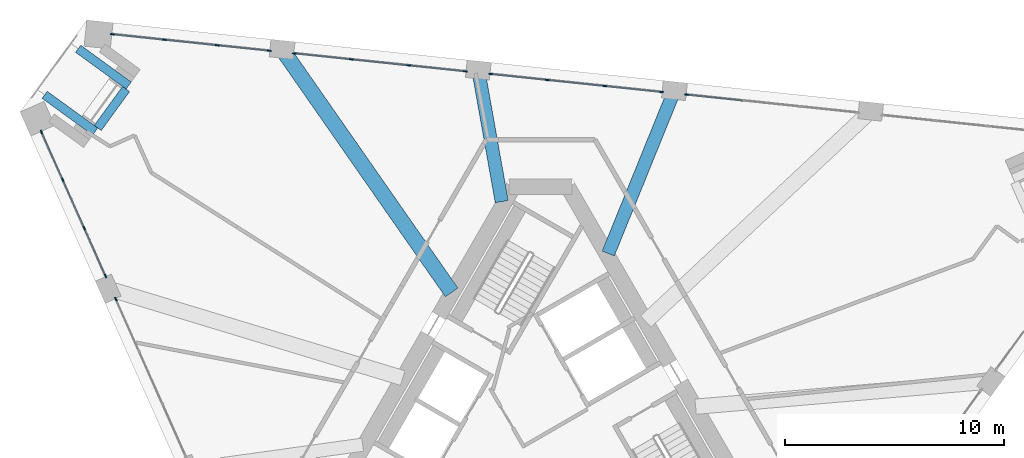
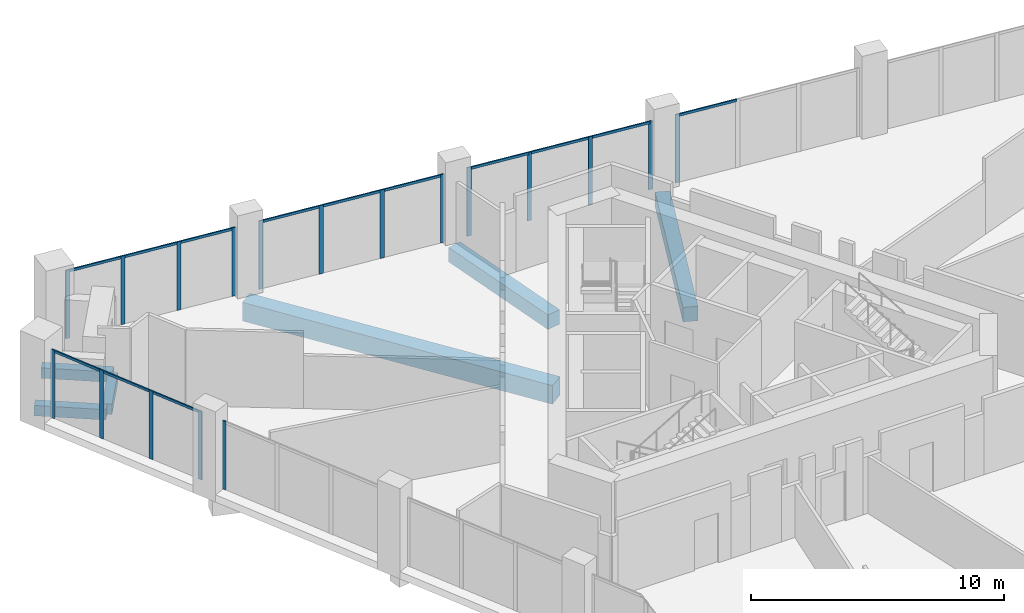
# One storey, part 5 of 15: 31 members, 6 beams, 6 elements without a shape of their own.
"""IFC4 building model written with IfcOpenShell, lengths in metres."""

from ifc_helpers import new_model, si_unit, direction, frame, origin, origin_2d, place, context, subcontext, project, spatial, rectangle, extrude, material, layer, layer_set, material_profile, profile_set, type_object, element, aggregate, save


model = new_model("IFC4")

# Units and contexts
model_context = context("Model", 3, precision=1e-05, world=origin(), true_north=direction((0.0, 1.0)))
body_context = subcontext(model_context, "Body", "Model", "MODEL_VIEW")
ifc_project = project(units=[si_unit("LENGTHUNIT", "METRE"), si_unit("AREAUNIT", "SQUARE_METRE"), si_unit("VOLUMEUNIT", "CUBIC_METRE"), si_unit("PLANEANGLEUNIT", "RADIAN"), si_unit("MASSUNIT", "GRAM", prefix="KILO")], contexts=[model_context])

# Site, building, storey
site_placement = place(None, origin())
site = spatial("IfcSite", under=ifc_project, at=site_placement, CompositionType="ELEMENT")
building_placement = place(site_placement, origin())
building = spatial("IfcBuilding", under=site, at=building_placement, Name="Tramontana Tower", CompositionType="ELEMENT")
storey_placement = place(building_placement, frame((0.0, 0.0, 237.199951171875)))
storey = spatial("IfcBuildingStorey", under=building, at=storey_placement, Name="L55", CompositionType="ELEMENT", Elevation=237.199951171875)

# Curtain wall, members
ifc_material_1 = material(Name="Aluminum extrusion", Category="aluminium")
ifc_layer = layer(ifc_material_1, 0.14990234375)
ifc_layer_set = layer_set([ifc_layer], Name="CW4 Sky lobby 2 curtain wall")
curtain_wall_type = type_object("IfcCurtainWallType", Name="CW4 Sky lobby 2 curtain wall", PredefinedType="NOTDEFINED", material=ifc_layer_set)
curtain_wall_1_placement = place(storey_placement, origin())
curtain_wall_1 = element("IfcCurtainWall", 1, at=curtain_wall_1_placement, inside=storey, type_object=curtain_wall_type, Name="CW4 curtain wall L55 face 0 bay 1", PredefinedType="NOTDEFINED")
ifc_material_2 = material(Name="Aluminum extrusion", Category="aluminium")
ifc_material_profile_1 = material_profile(ifc_material_2, rectangle(XDim=0.06005859375, YDim=0.179931640625, at=origin_2d()), Name="CW4-M Mullion 60 x 180")
ifc_profile_set_1 = profile_set([ifc_material_profile_1], Name="Aluminum extrusion")
member_type_1 = type_object("IfcMemberType", Name="CW4-M Mullion 60 x 180", PredefinedType="MULLION", material=ifc_profile_set_1)
member_1_placement = place(storey_placement, frame((-22.795166015625, 13.152099609375, 0.0), z_axis=(0.0, 0.0, 1.0), x_axis=(0.913545457643, 0.406736643076, 0.0)))
member_1 = element("IfcMember", 2, at=member_1_placement, type_object=member_type_1, Name="CW4 curtain wall L55 face 0 bay 1 mullion 1", PredefinedType="MULLION", context=body_context, shape_type="SweptSolid", body=[
    extrude(rectangle(XDim=0.06005859375, YDim=0.179931640625, at=origin_2d()), origin(), (0.0, 0.0, 1.0), 3.300048828125),
])
member_2_placement = place(storey_placement, frame((-21.823486328125, 10.9697265625, 0.0), z_axis=(0.0, 0.0, 1.0), x_axis=(0.913545457643, 0.406736643076, 0.0)))
member_2 = element("IfcMember", 3, at=member_2_placement, type_object=member_type_1, Name="CW4 curtain wall L55 face 0 bay 1 mullion 2", PredefinedType="MULLION", context=body_context, shape_type="SweptSolid", body=[
    extrude(rectangle(XDim=0.06005859375, YDim=0.179931640625, at=origin_2d()), origin(), (0.0, 0.0, 1.0), 3.300048828125),
])
member_3_placement = place(storey_placement, frame((-20.839599609375, 8.760009765625, 0.0), z_axis=(0.0, 0.0, 1.0), x_axis=(0.913545457643, 0.406736643076, 0.0)))
member_3 = element("IfcMember", 4, at=member_3_placement, type_object=member_type_1, Name="CW4 curtain wall L55 face 0 bay 1 mullion 3", PredefinedType="MULLION", context=body_context, shape_type="SweptSolid", body=[
    extrude(rectangle(XDim=0.06005859375, YDim=0.179931640625, at=origin_2d()), origin(), (0.0, 0.0, 1.0), 3.300048828125),
])
member_4_placement = place(storey_placement, frame((-19.867919921875, 6.57763671875, 0.0), z_axis=(0.0, 0.0, 1.0), x_axis=(0.913545457643, 0.406736643076, 0.0)))
member_4 = element("IfcMember", 5, at=member_4_placement, type_object=member_type_1, Name="CW4 curtain wall L55 face 0 bay 1 mullion 4", PredefinedType="MULLION", context=body_context, shape_type="SweptSolid", body=[
    extrude(rectangle(XDim=0.06005859375, YDim=0.179931640625, at=origin_2d()), origin(), (0.0, 0.0, 1.0), 3.300048828125),
])

# Curtain wall, member
curtain_wall_2_placement = place(storey_placement, origin())
curtain_wall_2 = element("IfcCurtainWall", 6, at=curtain_wall_2_placement, inside=storey, type_object=curtain_wall_type, Name="CW4 curtain wall L55 face 0 bay 2", PredefinedType="NOTDEFINED")
member_5_placement = place(storey_placement, frame((-19.396240234375, 5.517822265625, 0.0), z_axis=(0.0, 0.0, 1.0), x_axis=(0.913545457643, 0.406736643076, 0.0)))
member_5 = element("IfcMember", 7, at=member_5_placement, type_object=member_type_1, Name="CW4 curtain wall L55 face 0 bay 2 mullion 1", PredefinedType="MULLION", context=body_context, shape_type="SweptSolid", body=[
    extrude(rectangle(XDim=0.06005859375, YDim=0.179931640625, at=origin_2d()), origin(), (0.0, 0.0, 1.0), 3.300048828125),
])
aggregate(curtain_wall_2, [member_5])

curtain_wall_3_placement = place(storey_placement, origin())
curtain_wall_3 = element("IfcCurtainWall", 8, at=curtain_wall_3_placement, inside=storey, type_object=curtain_wall_type, Name="CW4 curtain wall L55 face 2 bay 2", PredefinedType="NOTDEFINED")
member_6_placement = place(storey_placement, frame((6.673095703125, 14.85888671875, 0.0), z_axis=(0.0, 0.0, 1.0), x_axis=(-0.104528463268, -0.994521895368, 0.0)))
member_6 = element("IfcMember", 9, at=member_6_placement, type_object=member_type_1, Name="CW4 curtain wall L55 face 2 bay 2 mullion 4", PredefinedType="MULLION", context=body_context, shape_type="SweptSolid", body=[
    extrude(rectangle(XDim=0.06005859375, YDim=0.179931640625, at=origin_2d()), origin(), (0.0, 0.0, 1.0), 3.300048828125),
])

# Curtain wall, members
curtain_wall_4_placement = place(storey_placement, origin())
curtain_wall_4 = element("IfcCurtainWall", 10, at=curtain_wall_4_placement, inside=storey, type_object=curtain_wall_type, Name="CW4 curtain wall L55 face 2 bay 3", PredefinedType="NOTDEFINED")
member_7_placement = place(storey_placement, frame((5.51953125, 14.980224609375, 0.0), z_axis=(0.0, 0.0, 1.0), x_axis=(-0.104528463268, -0.994521895368, 0.0)))
member_7 = element("IfcMember", 11, at=member_7_placement, type_object=member_type_1, Name="CW4 curtain wall L55 face 2 bay 3 mullion 1", PredefinedType="MULLION", context=body_context, shape_type="SweptSolid", body=[
    extrude(rectangle(XDim=0.06005859375, YDim=0.179931640625, at=origin_2d()), origin(), (0.0, 0.0, 1.0), 3.300048828125),
])
member_8_placement = place(storey_placement, frame((2.92822265625, 15.25244140625, 0.0), z_axis=(0.0, 0.0, 1.0), x_axis=(-0.104528463268, -0.994521895368, 0.0)))
member_8 = element("IfcMember", 12, at=member_8_placement, type_object=member_type_1, Name="CW4 curtain wall L55 face 2 bay 3 mullion 2", PredefinedType="MULLION", context=body_context, shape_type="SweptSolid", body=[
    extrude(rectangle(XDim=0.06005859375, YDim=0.179931640625, at=origin_2d()), origin(), (0.0, 0.0, 1.0), 3.300048828125),
])
member_9_placement = place(storey_placement, frame((0.30712890625, 15.528076171875, 0.0), z_axis=(0.0, 0.0, 1.0), x_axis=(-0.104528463268, -0.994521895368, 0.0)))
member_9 = element("IfcMember", 13, at=member_9_placement, type_object=member_type_1, Name="CW4 curtain wall L55 face 2 bay 3 mullion 3", PredefinedType="MULLION", context=body_context, shape_type="SweptSolid", body=[
    extrude(rectangle(XDim=0.06005859375, YDim=0.179931640625, at=origin_2d()), origin(), (0.0, 0.0, 1.0), 3.300048828125),
])
member_10_placement = place(storey_placement, frame((-2.2841796875, 15.80029296875, 0.0), z_axis=(0.0, 0.0, 1.0), x_axis=(-0.104528463268, -0.994521895368, 0.0)))
member_10 = element("IfcMember", 14, at=member_10_placement, type_object=member_type_1, Name="CW4 curtain wall L55 face 2 bay 3 mullion 4", PredefinedType="MULLION", context=body_context, shape_type="SweptSolid", body=[
    extrude(rectangle(XDim=0.06005859375, YDim=0.179931640625, at=origin_2d()), origin(), (0.0, 0.0, 1.0), 3.300048828125),
])

curtain_wall_5_placement = place(storey_placement, origin())
curtain_wall_5 = element("IfcCurtainWall", 15, at=curtain_wall_5_placement, inside=storey, type_object=curtain_wall_type, Name="CW4 curtain wall L55 face 2 bay 4", PredefinedType="NOTDEFINED")
member_11_placement = place(storey_placement, frame((-3.43798828125, 15.921630859375, 0.0), z_axis=(0.0, 0.0, 1.0), x_axis=(-0.104528463268, -0.994521895368, 0.0)))
member_11 = element("IfcMember", 16, at=member_11_placement, type_object=member_type_1, Name="CW4 curtain wall L55 face 2 bay 4 mullion 1", PredefinedType="MULLION", context=body_context, shape_type="SweptSolid", body=[
    extrude(rectangle(XDim=0.06005859375, YDim=0.179931640625, at=origin_2d()), origin(), (0.0, 0.0, 1.0), 3.300048828125),
])
member_12_placement = place(storey_placement, frame((-6.029296875, 16.19384765625, 0.0), z_axis=(0.0, 0.0, 1.0), x_axis=(-0.104528463268, -0.994521895368, 0.0)))
member_12 = element("IfcMember", 17, at=member_12_placement, type_object=member_type_1, Name="CW4 curtain wall L55 face 2 bay 4 mullion 2", PredefinedType="MULLION", context=body_context, shape_type="SweptSolid", body=[
    extrude(rectangle(XDim=0.06005859375, YDim=0.179931640625, at=origin_2d()), origin(), (0.0, 0.0, 1.0), 3.300048828125),
])
member_13_placement = place(storey_placement, frame((-8.650390625, 16.469482421875, 0.0), z_axis=(0.0, 0.0, 1.0), x_axis=(-0.104528463268, -0.994521895368, 0.0)))
member_13 = element("IfcMember", 18, at=member_13_placement, type_object=member_type_1, Name="CW4 curtain wall L55 face 2 bay 4 mullion 3", PredefinedType="MULLION", context=body_context, shape_type="SweptSolid", body=[
    extrude(rectangle(XDim=0.06005859375, YDim=0.179931640625, at=origin_2d()), origin(), (0.0, 0.0, 1.0), 3.300048828125),
])
member_14_placement = place(storey_placement, frame((-11.24169921875, 16.74169921875, 0.0), z_axis=(0.0, 0.0, 1.0), x_axis=(-0.104528463268, -0.994521895368, 0.0)))
member_14 = element("IfcMember", 19, at=member_14_placement, type_object=member_type_1, Name="CW4 curtain wall L55 face 2 bay 4 mullion 4", PredefinedType="MULLION", context=body_context, shape_type="SweptSolid", body=[
    extrude(rectangle(XDim=0.06005859375, YDim=0.179931640625, at=origin_2d()), origin(), (0.0, 0.0, 1.0), 3.300048828125),
])

curtain_wall_6_placement = place(storey_placement, origin())
curtain_wall_6 = element("IfcCurtainWall", 20, at=curtain_wall_6_placement, inside=storey, type_object=curtain_wall_type, Name="CW4 curtain wall L55 face 2 bay 5", PredefinedType="NOTDEFINED")
member_15_placement = place(storey_placement, frame((-12.395263671875, 16.863037109375, 0.0), z_axis=(0.0, 0.0, 1.0), x_axis=(-0.104528463268, -0.994521895368, 0.0)))
member_15 = element("IfcMember", 21, at=member_15_placement, type_object=member_type_1, Name="CW4 curtain wall L55 face 2 bay 5 mullion 1", PredefinedType="MULLION", context=body_context, shape_type="SweptSolid", body=[
    extrude(rectangle(XDim=0.06005859375, YDim=0.179931640625, at=origin_2d()), origin(), (0.0, 0.0, 1.0), 3.300048828125),
])
member_16_placement = place(storey_placement, frame((-14.77099609375, 17.11279296875, 0.0), z_axis=(0.0, 0.0, 1.0), x_axis=(-0.104528463268, -0.994521895368, 0.0)))
member_16 = element("IfcMember", 22, at=member_16_placement, type_object=member_type_1, Name="CW4 curtain wall L55 face 2 bay 5 mullion 2", PredefinedType="MULLION", context=body_context, shape_type="SweptSolid", body=[
    extrude(rectangle(XDim=0.06005859375, YDim=0.179931640625, at=origin_2d()), origin(), (0.0, 0.0, 1.0), 3.300048828125),
])
member_17_placement = place(storey_placement, frame((-17.1767578125, 17.365478515625, 0.0), z_axis=(0.0, 0.0, 1.0), x_axis=(-0.104528463268, -0.994521895368, 0.0)))
member_17 = element("IfcMember", 23, at=member_17_placement, type_object=member_type_1, Name="CW4 curtain wall L55 face 2 bay 5 mullion 3", PredefinedType="MULLION", context=body_context, shape_type="SweptSolid", body=[
    extrude(rectangle(XDim=0.06005859375, YDim=0.179931640625, at=origin_2d()), origin(), (0.0, 0.0, 1.0), 3.300048828125),
])
member_18_placement = place(storey_placement, frame((-19.552490234375, 17.615234375, 0.0), z_axis=(0.0, 0.0, 1.0), x_axis=(-0.104528463268, -0.994521895368, 0.0)))
member_18 = element("IfcMember", 24, at=member_18_placement, type_object=member_type_1, Name="CW4 curtain wall L55 face 2 bay 5 mullion 4", PredefinedType="MULLION", context=body_context, shape_type="SweptSolid", body=[
    extrude(rectangle(XDim=0.06005859375, YDim=0.179931640625, at=origin_2d()), origin(), (0.0, 0.0, 1.0), 3.300048828125),
])

# Member
ifc_material_3 = material(Name="Aluminum extrusion", Category="aluminium")
ifc_material_profile_2 = material_profile(ifc_material_3, rectangle(XDim=0.06005859375, YDim=0.1201171875, at=origin_2d()), Name="CW4-T Transom 60 x 120")
ifc_profile_set_2 = profile_set([ifc_material_profile_2], Name="Aluminum extrusion")
member_type_2 = type_object("IfcMemberType", Name="CW4-T Transom 60 x 120", PredefinedType="USERDEFINED", material=ifc_profile_set_2)
member_19_placement = place(storey_placement, frame((-22.782958984375, 13.124755859375, 3.239990234375), z_axis=(0.406721946453, -0.913552000859, 0.0), x_axis=(0.913552000859, 0.406721946453, 0.0)))
member_19 = element("IfcMember", 25, at=member_19_placement, type_object=member_type_2, Name="CW4 curtain wall L55 face 0 bay 1 transom 1.1", ObjectType="TRANSOM", PredefinedType="USERDEFINED", context=body_context, shape_type="SweptSolid", body=[
    extrude(rectangle(XDim=0.06005859375, YDim=0.1201171875, at=origin_2d()), origin(), (0.0, 0.0, 1.0), 2.3291015625),
])

member_20_placement = place(storey_placement, frame((-21.811279296875, 10.9423828125, 3.239990234375), z_axis=(0.40673374049, -0.913546749951, 0.0), x_axis=(0.913546749951, 0.40673374049, 0.0)))
member_20 = element("IfcMember", 26, at=member_20_placement, type_object=member_type_2, Name="CW4 curtain wall L55 face 0 bay 1 transom 2.1", ObjectType="TRANSOM", PredefinedType="USERDEFINED", context=body_context, shape_type="SweptSolid", body=[
    extrude(rectangle(XDim=0.06005859375, YDim=0.1201171875, at=origin_2d()), origin(), (0.0, 0.0, 1.0), 2.35888671875),
])

member_21_placement = place(storey_placement, frame((-20.827392578125, 8.732666015625, 3.239990234375), z_axis=(0.406721946453, -0.913552000859, 0.0), x_axis=(0.913552000859, 0.406721946453, 0.0)))
member_21 = element("IfcMember", 27, at=member_21_placement, type_object=member_type_2, Name="CW4 curtain wall L55 face 0 bay 1 transom 3.1", ObjectType="TRANSOM", PredefinedType="USERDEFINED", context=body_context, shape_type="SweptSolid", body=[
    extrude(rectangle(XDim=0.06005859375, YDim=0.1201171875, at=origin_2d()), origin(), (0.0, 0.0, 1.0), 2.3291015625),
])

aggregate(curtain_wall_1, [member_1, member_2, member_3, member_4, member_19, member_20, member_21])

member_22_placement = place(storey_placement, frame((9.234619140625, 14.589599609375, 3.239990234375), z_axis=(-0.994521206634, 0.104535015934, 0.0), x_axis=(-0.104535015934, -0.994521206634, 0.0)))
member_22 = element("IfcMember", 28, at=member_22_placement, type_object=member_type_2, Name="CW4 curtain wall L55 face 2 bay 2 transom 3.1", ObjectType="TRANSOM", PredefinedType="USERDEFINED", context=body_context, shape_type="SweptSolid", body=[
    extrude(rectangle(XDim=0.06005859375, YDim=0.1201171875, at=origin_2d()), origin(), (0.0, 0.0, 1.0), 2.545654296875),
])

aggregate(curtain_wall_3, [member_6, member_22])

member_23_placement = place(storey_placement, frame((5.489501953125, 14.983154296875, 3.239990234375), z_axis=(-0.994520158489, 0.104544987246, 0.0), x_axis=(-0.104544987246, -0.994520158489, 0.0)))
member_23 = element("IfcMember", 29, at=member_23_placement, type_object=member_type_2, Name="CW4 curtain wall L55 face 2 bay 3 transom 1.1", ObjectType="TRANSOM", PredefinedType="USERDEFINED", context=body_context, shape_type="SweptSolid", body=[
    extrude(rectangle(XDim=0.06005859375, YDim=0.1201171875, at=origin_2d()), origin(), (0.0, 0.0, 1.0), 2.54541015625),
])

member_24_placement = place(storey_placement, frame((2.898193359375, 15.255615234375, 3.239990234375), z_axis=(-0.994518431201, 0.104561417369, 0.0), x_axis=(-0.104561417369, -0.994518431201, 0.0)))
member_24 = element("IfcMember", 30, at=member_24_placement, type_object=member_type_2, Name="CW4 curtain wall L55 face 2 bay 3 transom 2.1", ObjectType="TRANSOM", PredefinedType="USERDEFINED", context=body_context, shape_type="SweptSolid", body=[
    extrude(rectangle(XDim=0.06005859375, YDim=0.1201171875, at=origin_2d()), origin(), (0.0, 0.0, 1.0), 2.575439453125),
])

member_25_placement = place(storey_placement, frame((0.277099609375, 15.531005859375, 3.239990234375), z_axis=(-0.994520158489, 0.104544987246, 0.0), x_axis=(-0.104544987246, -0.994520158489, 0.0)))
member_25 = element("IfcMember", 31, at=member_25_placement, type_object=member_type_2, Name="CW4 curtain wall L55 face 2 bay 3 transom 3.1", ObjectType="TRANSOM", PredefinedType="USERDEFINED", context=body_context, shape_type="SweptSolid", body=[
    extrude(rectangle(XDim=0.06005859375, YDim=0.1201171875, at=origin_2d()), origin(), (0.0, 0.0, 1.0), 2.54541015625),
])

aggregate(curtain_wall_4, [member_7, member_8, member_9, member_10, member_23, member_24, member_25])

member_26_placement = place(storey_placement, frame((-3.4677734375, 15.9248046875, 3.239990234375), z_axis=(-0.994520158489, 0.104544987246, 0.0), x_axis=(-0.104544987246, -0.994520158489, 0.0)))
member_26 = element("IfcMember", 32, at=member_26_placement, type_object=member_type_2, Name="CW4 curtain wall L55 face 2 bay 4 transom 1.1", ObjectType="TRANSOM", PredefinedType="USERDEFINED", context=body_context, shape_type="SweptSolid", body=[
    extrude(rectangle(XDim=0.06005859375, YDim=0.1201171875, at=origin_2d()), origin(), (0.0, 0.0, 1.0), 2.54541015625),
])

member_27_placement = place(storey_placement, frame((-6.05908203125, 16.197021484375, 3.239990234375), z_axis=(-0.994518431201, 0.104561417369, 0.0), x_axis=(-0.104561417369, -0.994518431201, 0.0)))
member_27 = element("IfcMember", 33, at=member_27_placement, type_object=member_type_2, Name="CW4 curtain wall L55 face 2 bay 4 transom 2.1", ObjectType="TRANSOM", PredefinedType="USERDEFINED", context=body_context, shape_type="SweptSolid", body=[
    extrude(rectangle(XDim=0.06005859375, YDim=0.1201171875, at=origin_2d()), origin(), (0.0, 0.0, 1.0), 2.575439453125),
])

member_28_placement = place(storey_placement, frame((-8.68017578125, 16.47265625, 3.239990234375), z_axis=(-0.994530126323, 0.104450121281, 0.0), x_axis=(-0.104450121281, -0.994530126323, 0.0)))
member_28 = element("IfcMember", 34, at=member_28_placement, type_object=member_type_2, Name="CW4 curtain wall L55 face 2 bay 4 transom 3.1", ObjectType="TRANSOM", PredefinedType="USERDEFINED", context=body_context, shape_type="SweptSolid", body=[
    extrude(rectangle(XDim=0.06005859375, YDim=0.1201171875, at=origin_2d()), origin(), (0.0, 0.0, 1.0), 2.54541015625),
])

aggregate(curtain_wall_5, [member_11, member_12, member_13, member_14, member_26, member_27, member_28])

member_29_placement = place(storey_placement, frame((-12.425048828125, 16.8662109375, 3.239990234375), z_axis=(-0.994523245292, 0.1045156188, 0.0), x_axis=(-0.1045156188, -0.994523245292, 0.0)))
member_29 = element("IfcMember", 35, at=member_29_placement, type_object=member_type_2, Name="CW4 curtain wall L55 face 2 bay 5 transom 1.1", ObjectType="TRANSOM", PredefinedType="USERDEFINED", context=body_context, shape_type="SweptSolid", body=[
    extrude(rectangle(XDim=0.06005859375, YDim=0.1201171875, at=origin_2d()), origin(), (0.0, 0.0, 1.0), 2.328857421875),
])

member_30_placement = place(storey_placement, frame((-14.80078125, 17.115966796875, 3.239990234375), z_axis=(-0.99452132077, 0.104533930063, 0.0), x_axis=(-0.104533930063, -0.99452132077, 0.0)))
member_30 = element("IfcMember", 36, at=member_30_placement, type_object=member_type_2, Name="CW4 curtain wall L55 face 2 bay 5 transom 2.1", ObjectType="TRANSOM", PredefinedType="USERDEFINED", context=body_context, shape_type="SweptSolid", body=[
    extrude(rectangle(XDim=0.06005859375, YDim=0.1201171875, at=origin_2d()), origin(), (0.0, 0.0, 1.0), 2.35888671875),
])

member_31_placement = place(storey_placement, frame((-17.20654296875, 17.36865234375, 3.239990234375), z_axis=(-0.994523245292, 0.1045156188, 0.0), x_axis=(-0.1045156188, -0.994523245292, 0.0)))
member_31 = element("IfcMember", 37, at=member_31_placement, type_object=member_type_2, Name="CW4 curtain wall L55 face 2 bay 5 transom 3.1", ObjectType="TRANSOM", PredefinedType="USERDEFINED", context=body_context, shape_type="SweptSolid", body=[
    extrude(rectangle(XDim=0.06005859375, YDim=0.1201171875, at=origin_2d()), origin(), (0.0, 0.0, 1.0), 2.328857421875),
])

aggregate(curtain_wall_6, [member_15, member_16, member_17, member_18, member_29, member_30, member_31])

# Beams
ifc_material_4 = material(Name="Concrete 40 MPa", Category="concrete")
ifc_material_profile_3 = material_profile(ifc_material_4, rectangle(XDim=0.60009765625, YDim=0.699951171875, at=origin_2d()), Name="RC GIRDER 600X700 40 MPa")
ifc_profile_set_3 = profile_set([ifc_material_profile_3], Name="Concrete 40 MPa")
beam_type_1 = type_object("IfcBeamType", Name="RC GIRDER 600X700 40 MPa", PredefinedType="BEAM", material=ifc_profile_set_3)
beam_1_placement = place(storey_placement, frame((6.109375, 15.043701171875, -0.699951171875), z_axis=(-0.376258836782, -0.92651459122, 0.0), x_axis=(0.92651459122, -0.376258836782, 0.0)))
element("IfcBeam", 38, at=beam_1_placement, inside=storey, type_object=beam_type_1, Name="Radial girder C6F10 L55", PredefinedType="BEAM", context=body_context, shape_type="SweptSolid", body=[
    extrude(rectangle(XDim=0.60009765625, YDim=0.699951171875, at=origin_2d()), origin(), (0.0, 0.0, 1.0), 8.032958984375),
])
beam_2_placement = place(storey_placement, frame((-2.847900390625, 15.9853515625, -0.699951171875), z_axis=(0.175388058889, -0.984499379786, 0.0), x_axis=(0.984499379786, 0.175388058889, 0.0)))
element("IfcBeam", 39, at=beam_2_placement, inside=storey, type_object=beam_type_1, Name="Radial girder C6F11 L55", PredefinedType="BEAM", context=body_context, shape_type="SweptSolid", body=[
    extrude(rectangle(XDim=0.60009765625, YDim=0.699951171875, at=origin_2d()), origin(), (0.0, 0.0, 1.0), 6.108154296875),
])
ifc_material_5 = material(Name="Concrete 40 MPa", Category="concrete")
ifc_material_profile_4 = material_profile(ifc_material_5, rectangle(XDim=0.699951171875, YDim=0.89990234375, at=origin_2d()), Name="RC GIRDER 700X900 40 MPa")
ifc_profile_set_4 = profile_set([ifc_material_profile_4], Name="Concrete 40 MPa")
beam_type_2 = type_object("IfcBeamType", Name="RC GIRDER 700X900 40 MPa", PredefinedType="BEAM", material=ifc_profile_set_4)
beam_3_placement = place(storey_placement, frame((-11.805419921875, 16.9267578125, -0.800048828125), z_axis=(0.5720593984, -0.820212194924, 0.0), x_axis=(0.820212194924, 0.5720593984, 0.0)))
element("IfcBeam", 40, at=beam_3_placement, inside=storey, type_object=beam_type_2, Name="Radial girder C6F12 L55", PredefinedType="BEAM", context=body_context, shape_type="SweptSolid", body=[
    extrude(rectangle(XDim=0.699951171875, YDim=0.89990234375, at=origin_2d()), origin(), (0.0, 0.0, 1.0), 13.53271484375),
])
ifc_material_6 = material(Name="Concrete 40 MPa", Category="concrete")
ifc_material_profile_5 = material_profile(ifc_material_6, rectangle(XDim=0.39990234375, YDim=0.5, at=origin_2d()), Name="RC TRIM BEAM 400X500 40 MPa")
ifc_profile_set_5 = profile_set([ifc_material_profile_5], Name="Concrete 40 MPa")
beam_type_3 = type_object("IfcBeamType", Name="RC TRIM BEAM 400X500 40 MPa", PredefinedType="JOIST", material=ifc_profile_set_5)
beam_4_placement = place(storey_placement, frame((-18.931640625, 15.1142578125, -0.599853515625), z_axis=(-0.587821928992, -0.808990345923, 0.0), x_axis=(0.808990345923, -0.587821928992, 0.0)))
element("IfcBeam", 41, at=beam_4_placement, inside=storey, type_object=beam_type_3, Name="Trimmer beam K0 L55", PredefinedType="JOIST", context=body_context, shape_type="SweptSolid", body=[
    extrude(rectangle(XDim=0.39990234375, YDim=0.5, at=origin_2d()), origin(), (0.0, 0.0, 1.0), 2.199951171875),
])
for number, where, z_axis, x_axis, name in (
    (42, (-21.119873046875, 16.951416015625, -0.599853515625), (0.808995307983, -0.587815099892, 0.0), (0.587815099892, 0.808995307983, 0.0), "Tray beam K0L L55"),
    (43, (-22.64794921875, 14.847900390625, -0.599853515625), (0.808995307983, -0.587815099892, 0.0), (0.587815099892, 0.808995307983, 0.0), "Tray beam K0R L55"),
):
    element("IfcBeam", number, at=place(storey_placement, frame(where, z_axis=z_axis, x_axis=x_axis)), inside=storey, type_object=beam_type_3, Name=name, PredefinedType="JOIST", context=body_context, shape_type="SweptSolid", body=[
        extrude(rectangle(XDim=0.39990234375, YDim=0.5, at=origin_2d()), origin(), (0.0, 0.0, 1.0), 2.85009765625),
    ])

save(model, "model.ifc")
